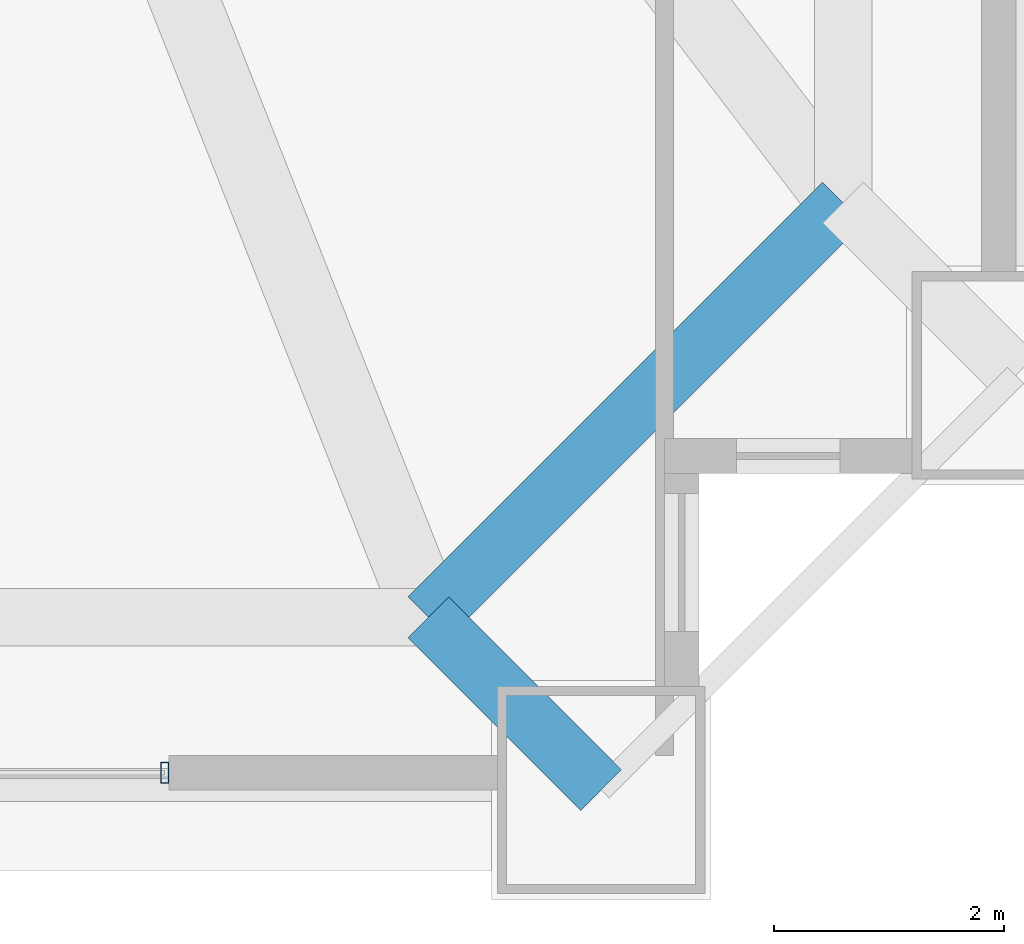
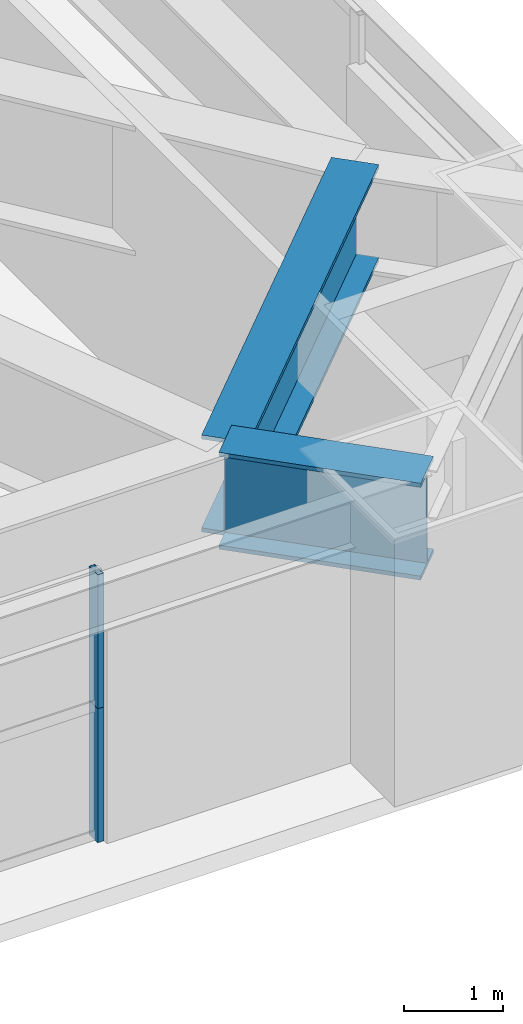
# One storey, part 15 of 44: 2 beams, 2 members, 1 element without a shape of its own.
"""IFC4 building model written with IfcOpenShell, lengths in metres."""

from ifc_helpers import new_model, si_unit, direction, frame, origin, origin_2d, place, context, subcontext, project, spatial, hollow_rectangle, i_section, extrude, source, transform, mapped, material, layer, layer_set, material_profile, profile_set, type_object, element, aggregate, save


model = new_model("IFC4")

# Units and contexts
model_context = context("Model", 3, precision=1e-05, world=origin(), true_north=direction((0.0, 1.0)))
body_context = subcontext(model_context, "Body", "Model", "MODEL_VIEW")
ifc_project = project(units=[si_unit("LENGTHUNIT", "METRE"), si_unit("AREAUNIT", "SQUARE_METRE"), si_unit("VOLUMEUNIT", "CUBIC_METRE"), si_unit("PLANEANGLEUNIT", "RADIAN"), si_unit("MASSUNIT", "GRAM", prefix="KILO"), si_unit("THERMODYNAMICTEMPERATUREUNIT", "KELVIN"), si_unit("POWERUNIT", "WATT")], contexts=[model_context])

# Site, building, storey
site_placement = place(None, origin())
site = spatial("IfcSite", under=ifc_project, at=site_placement, CompositionType="ELEMENT")
building_placement = place(site_placement, origin())
building = spatial("IfcBuilding", under=site, at=building_placement, Name="Yuzanri Waterfront Tower", CompositionType="ELEMENT")
storey_placement = place(building_placement, frame((0.0, 0.0, 82.0)))
storey = spatial("IfcBuildingStorey", under=building, at=storey_placement, Name="L21", CompositionType="ELEMENT", Elevation=82.0)

# Beams
ifc_material_1 = material(Name="Steel Q420GJC", Category="steel")
ifc_material_profile_1 = material_profile(ifc_material_1, i_section(OverallWidth=0.5, OverallDepth=1.199951171875, WebThickness=0.028076171875, FlangeThickness=0.050048828125, at=origin_2d()), Name="PG 1200x500x28x50")
ifc_profile_set_1 = profile_set([ifc_material_profile_1], Name="Steel Q420GJC")
beam_type = type_object("IfcBeamType", Name="Setback Transfer Girder Q420GJC PG 1200x500", PredefinedType="USERDEFINED", material=ifc_profile_set_1)
shared_shape_1 = source(origin(), body_context, "Body", "SweptSolid", [
    extrude(i_section(OverallWidth=0.5, OverallDepth=1.199951171875, WebThickness=0.028076171875, FlangeThickness=0.050048828125, at=origin_2d()), origin(), (0.0, 0.0, 1.0), 2.121337890625),
])
beam_1_placement = place(storey_placement, frame((57.0, 2.199951171875, 2.719970703125), z_axis=(0.707106781187, -0.707106781187, 0.0), x_axis=(0.707106781187, 0.707106781187, 0.0)))
element("IfcBeam", 1, at=beam_1_placement, inside=storey, type_object=beam_type, Name="L21 Setback Step Transfer S3", ObjectType="GIRDER", PredefinedType="USERDEFINED", context=body_context, shape_type="MappedRepresentation", body=[
    mapped(shared_shape_1, transform((0.0, 0.0, 0.0), scale=1.0)),
])
shared_shape_2 = source(origin(), body_context, "Body", "SweptSolid", [
    extrude(i_section(OverallWidth=0.5, OverallDepth=1.199951171875, WebThickness=0.028076171875, FlangeThickness=0.050048828125, at=origin_2d()), origin(), (0.0, 0.0, 1.0), 5.09130859375),
])
beam_2_placement = place(storey_placement, frame((57.0, 2.199951171875, 2.719970703125), z_axis=(0.707106781187, 0.707106781187, 0.0), x_axis=(-0.707106781187, 0.707106781187, 0.0)))
element("IfcBeam", 2, at=beam_2_placement, inside=storey, type_object=beam_type, Name="L21 Setback Upper Ring S3-E1", ObjectType="GIRDER", PredefinedType="USERDEFINED", context=body_context, shape_type="MappedRepresentation", body=[
    mapped(shared_shape_2, transform((0.0, 0.0, 0.0), scale=1.0)),
])

# Curtain wall, members
ifc_material_2 = material(Name="Anodized Architectural Bronze", Category="metal")
ifc_layer = layer(ifc_material_2, 0.159912109375)
ifc_layer_set = layer_set([ifc_layer], Name="Anodized Architectural Bronze")
curtain_wall_type = type_object("IfcCurtainWallType", Name="Anodized Bronze Hotel Lower-Tier Recessed Unitized Curtain Wall 8100", PredefinedType="NOTDEFINED", material=ifc_layer_set)
curtain_wall_placement = place(storey_placement, origin())
curtain_wall = element("IfcCurtainWall", 3, at=curtain_wall_placement, inside=storey, type_object=curtain_wall_type, Name="L21 Curtain Wall CW-L21-SR", PredefinedType="NOTDEFINED")
ifc_material_3 = material(Name="Anodized Architectural Bronze", Category="metal")
ifc_material_profile_2 = material_profile(ifc_material_3, hollow_rectangle(XDim=0.070068359375, YDim=0.179931640625, WallThickness=0.00390625, at=origin_2d()), Name="CWM 70x180")
ifc_profile_set_2 = profile_set([ifc_material_profile_2], Name="Anodized Architectural Bronze")
member_type = type_object("IfcMemberType", Name="Anodized Bronze Standard Curtain-Wall Mullion 70x180", PredefinedType="MULLION", material=ifc_profile_set_2)
shared_shape_3 = source(origin(), body_context, "Body", "SweptSolid", [
    extrude(hollow_rectangle(XDim=0.070068359375, YDim=0.179931640625, WallThickness=0.00390625, at=origin_2d()), origin(), (0.0, 0.0, 1.0), 1.657958984375),
])
member_1_placement = place(storey_placement, frame((54.7099609375, 0.85009765625, 0.0), z_axis=(0.0, 0.0, 1.0), x_axis=(1.0, 0.0, 0.0)))
member_1 = element("IfcMember", 4, at=member_1_placement, type_object=member_type, Name="CW-L21-SR Lower Mullion 02", PredefinedType="MULLION", context=body_context, shape_type="MappedRepresentation", body=[
    mapped(shared_shape_3, transform((0.0, 0.0, 0.0), scale=1.0)),
])
member_2_placement = place(storey_placement, frame((54.7099609375, 0.85009765625, 1.662109375), z_axis=(0.0, 0.0, 1.0), x_axis=(1.0, 0.0, 0.0)))
member_2 = element("IfcMember", 5, at=member_2_placement, type_object=member_type, Name="CW-L21-SR Upper Mullion 02", PredefinedType="MULLION", context=body_context, shape_type="MappedRepresentation", body=[
    mapped(shared_shape_3, transform((0.0, 0.0, 0.0), scale=1.0)),
])
aggregate(curtain_wall, [member_1, member_2])

save(model, "model.ifc")
